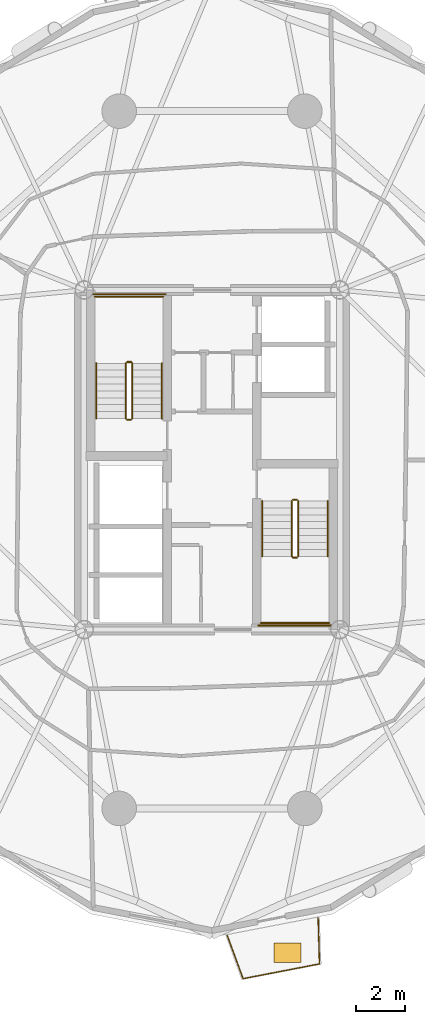
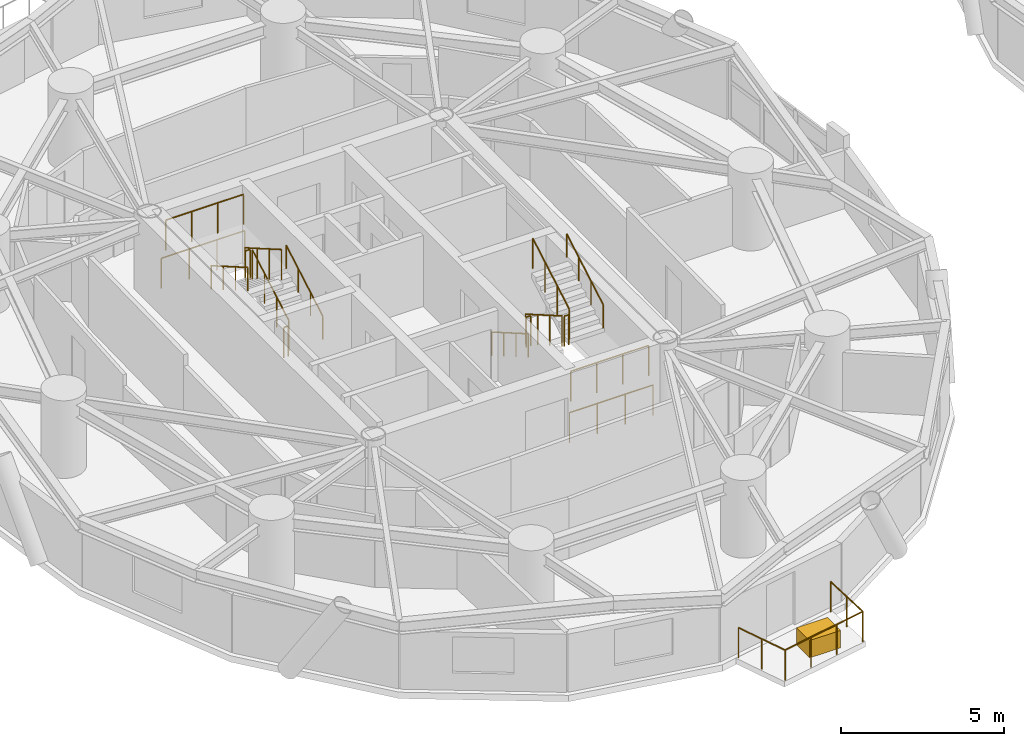
# One storey, part 16 of 18: 17 railings, 1 covering.
"""IFC4 building model written with IfcOpenShell, lengths in metres."""

from ifc_helpers import new_model, si_unit, direction, frame, origin, origin_2d, place, context, subcontext, project, spatial, rectangle, circle, extrude, source, transform, mapped, material, layer, layer_set, type_object, element, save


model = new_model("IFC4")

# Units and contexts
model_context = context("Model", 3, precision=1e-05, world=origin(), true_north=direction((0.0, 1.0)))
body_context = subcontext(model_context, "Body", "Model", "MODEL_VIEW")
ifc_project = project(units=[si_unit("LENGTHUNIT", "METRE"), si_unit("AREAUNIT", "SQUARE_METRE"), si_unit("VOLUMEUNIT", "CUBIC_METRE"), si_unit("PLANEANGLEUNIT", "RADIAN"), si_unit("MASSUNIT", "GRAM", prefix="KILO")], contexts=[model_context])

# Site, building, storey
site_placement = place(None, origin())
site = spatial("IfcSite", under=ifc_project, at=site_placement, CompositionType="ELEMENT")
building_placement = place(site_placement, origin())
building = spatial("IfcBuilding", under=site, at=building_placement, Name="Cununo Teusaquillo Station Towers", CompositionType="ELEMENT")
storey_placement = place(building_placement, frame((0.0, 0.0, 87.610107421875)))
storey = spatial("IfcBuildingStorey", under=building, at=storey_placement, Name="L27", CompositionType="ELEMENT", Elevation=87.610107421875)

# Railings
ifc_material_1 = material(Name="Anodised dark bronze aluminium EN AW-6063-T6", Category="aluminium")
railing_type_1 = type_object("IfcRailingType", Name="RL-EXT-GUARD", PredefinedType="GUARDRAIL", material=ifc_material_1)
railing_1_placement = place(storey_placement, frame((20.79833984375, 5.939453125, 0.0)))
element("IfcRailing", 1, at=railing_1_placement, inside=storey, type_object=railing_type_1, Name="L27 Tower A Balcony Guardrail C15", PredefinedType="GUARDRAIL", context=body_context, shape_type="SweptSolid", body=[
    extrude(circle(Radius=0.02392578125, at=origin_2d()), frame((0.0, 0.0, 1.1259765625), z_axis=(0.030662031384, -0.999529809376, 0.0), x_axis=(0.999529809376, 0.030662031384, 0.0)), (0.0, 0.0, 1.0), 1.86328125),
    extrude(circle(Radius=0.02392578125, at=origin_2d()), frame((0.05712890625, -1.8623046875, 1.1259765625), z_axis=(-0.981834317938, -0.189740275429, 0.0), x_axis=(0.189740275429, -0.981834317938, 0.0)), (0.0, 0.0, 1.0), 3.15380859375),
    extrude(circle(Radius=0.02392578125, at=origin_2d()), frame((-3.039306640625, -2.460693359375, 1.1259765625), z_axis=(-0.343962021681, 0.9389835609, 0.0), x_axis=(-0.9389835609, -0.343962021681, 0.0)), (0.0, 0.0, 1.0), 1.86328125),
    extrude(circle(Radius=0.02099609375, at=origin_2d()), origin(), (0.0, 0.0, 1.0), 1.101806640625),
    extrude(circle(Radius=0.02099609375, at=origin_2d()), frame((0.028564453125, -0.93115234375, 0.0)), (0.0, 0.0, 1.0), 1.101806640625),
    extrude(circle(Radius=0.02099609375, at=origin_2d()), frame((0.05712890625, -1.8623046875, 0.0)), (0.0, 0.0, 1.0), 1.101806640625),
    extrude(circle(Radius=0.02099609375, at=origin_2d()), frame((-0.97509765625, -2.061767578125, 0.0)), (0.0, 0.0, 1.0), 1.101806640625),
    extrude(circle(Radius=0.02099609375, at=origin_2d()), frame((-2.007080078125, -2.26123046875, 0.0)), (0.0, 0.0, 1.0), 1.101806640625),
    extrude(circle(Radius=0.02099609375, at=origin_2d()), frame((-3.039306640625, -2.460693359375, 0.0)), (0.0, 0.0, 1.0), 1.101806640625),
    extrude(circle(Radius=0.02099609375, at=origin_2d()), frame((-3.35986328125, -1.5859375, 0.0)), (0.0, 0.0, 1.0), 1.101806640625),
    extrude(circle(Radius=0.02099609375, at=origin_2d()), frame((-3.68017578125, -0.711181640625, 0.0)), (0.0, 0.0, 1.0), 1.101806640625),
])
ifc_material_2 = material(Name="Steel EN 10025-2 S355J2", Category="steel")
railing_type_2 = type_object("IfcRailingType", Name="RL-INT-GUARD", PredefinedType="GUARDRAIL", material=ifc_material_2)
railing_2_placement = place(storey_placement, frame((13.27001953125, 26.169921875, 0.16162109375)))
element("IfcRailing", 2, at=railing_2_placement, inside=storey, type_object=railing_type_2, Name="L27 ST-T1-1 stair guard 1", PredefinedType="GUARDRAIL", context=body_context, shape_type="SweptSolid", body=[
    extrude(circle(Radius=0.02392578125, at=origin_2d()), frame((0.0, 0.0, 1.1259765625), z_axis=(0.0, 0.866033117094, 0.499986639918), x_axis=(-1.0, 0.0, 0.0)), (0.0, 0.0, 1.0), 2.58642578125),
    extrude(circle(Radius=0.02099609375, at=origin_2d()), origin(), (0.0, 0.0, 1.0), 1.101806640625),
    extrude(circle(Radius=0.02099609375, at=origin_2d()), frame((0.0, 0.74658203125, 0.43115234375)), (0.0, 0.0, 1.0), 1.101806640625),
    extrude(circle(Radius=0.02099609375, at=origin_2d()), frame((0.0, 1.493408203125, 0.862060546875)), (0.0, 0.0, 1.0), 1.101806640625),
    extrude(circle(Radius=0.02099609375, at=origin_2d()), frame((0.0, 2.239990234375, 1.293212890625)), (0.0, 0.0, 1.0), 1.101806640625),
])
railing_3_placement = place(storey_placement, frame((13.219970703125, 28.4599609375, 1.454833984375)))
element("IfcRailing", 3, at=railing_3_placement, inside=storey, type_object=railing_type_2, Name="L27 ST-T1-1 stair guard 2", PredefinedType="GUARDRAIL", context=body_context, shape_type="SweptSolid", body=[
    extrude(circle(Radius=0.02392578125, at=origin_2d()), frame((0.0, 0.0, 1.1259765625), z_axis=(-1.0, 0.0, 0.0), x_axis=(0.0, -1.0, 0.0)), (0.0, 0.0, 1.0), 0.159912109375),
    extrude(circle(Radius=0.02099609375, at=origin_2d()), origin(), (0.0, 0.0, 1.0), 1.101806640625),
    extrude(circle(Radius=0.02099609375, at=origin_2d()), frame((-0.159912109375, 0.0, 0.0)), (0.0, 0.0, 1.0), 1.101806640625),
])
railing_4_placement = place(storey_placement, frame((14.52001953125, 31.110107421875, 1.454833984375)))
element("IfcRailing", 4, at=railing_4_placement, inside=storey, type_object=railing_type_2, Name="L27 ST-T1-1 stair guard 3", PredefinedType="GUARDRAIL", context=body_context, shape_type="SweptSolid", body=[
    extrude(circle(Radius=0.02392578125, at=origin_2d()), frame((0.0, 0.0, 1.1259765625), z_axis=(-1.0, 0.0, 0.0), x_axis=(0.0, -1.0, 0.0)), (0.0, 0.0, 1.0), 2.760009765625),
    extrude(circle(Radius=0.02099609375, at=origin_2d()), origin(), (0.0, 0.0, 1.0), 1.101806640625),
    extrude(circle(Radius=0.02099609375, at=origin_2d()), frame((-0.919921875, 0.0, 0.0)), (0.0, 0.0, 1.0), 1.101806640625),
    extrude(circle(Radius=0.02099609375, at=origin_2d()), frame((-1.840087890625, 0.0, 0.0)), (0.0, 0.0, 1.0), 1.101806640625),
    extrude(circle(Radius=0.02099609375, at=origin_2d()), frame((-2.760009765625, 0.0, 0.0)), (0.0, 0.0, 1.0), 1.101806640625),
])
railing_5_placement = place(storey_placement, frame((13.010009765625, 28.409912109375, 1.616455078125)))
element("IfcRailing", 5, at=railing_5_placement, inside=storey, type_object=railing_type_2, Name="L27 ST-T1-1 stair guard 4", PredefinedType="GUARDRAIL", context=body_context, shape_type="SweptSolid", body=[
    extrude(circle(Radius=0.02392578125, at=origin_2d()), frame((0.0, 0.0, 1.1259765625), z_axis=(0.0, -0.865992244559, 0.500057429065), x_axis=(1.0, 0.0, 0.0)), (0.0, 0.0, 1.0), 2.586669921875),
    extrude(circle(Radius=0.02099609375, at=origin_2d()), origin(), (0.0, 0.0, 1.0), 1.101806640625),
    extrude(circle(Radius=0.02099609375, at=origin_2d()), frame((0.0, -0.74658203125, 0.43115234375)), (0.0, 0.0, 1.0), 1.101806640625),
    extrude(circle(Radius=0.02099609375, at=origin_2d()), frame((0.0, -1.493408203125, 0.8623046875)), (0.0, 0.0, 1.0), 1.101806640625),
    extrude(circle(Radius=0.02099609375, at=origin_2d()), frame((0.0, -2.239990234375, 1.29345703125)), (0.0, 0.0, 1.0), 1.101806640625),
])
railing_6_placement = place(storey_placement, frame((13.219970703125, 26.1201171875, 0.0)))
element("IfcRailing", 6, at=railing_6_placement, inside=storey, type_object=railing_type_2, Name="L27 ST-T1-1 stair guard 5", PredefinedType="GUARDRAIL", context=body_context, shape_type="SweptSolid", body=[
    extrude(circle(Radius=0.02392578125, at=origin_2d()), frame((0.0, 0.0, 1.1259765625), z_axis=(-1.0, 0.0, 0.0), x_axis=(0.0, -1.0, 0.0)), (0.0, 0.0, 1.0), 0.159912109375),
    extrude(circle(Radius=0.02099609375, at=origin_2d()), origin(), (0.0, 0.0, 1.0), 1.101806640625),
    extrude(circle(Radius=0.02099609375, at=origin_2d()), frame((-0.159912109375, 0.0, 0.0)), (0.0, 0.0, 1.0), 1.101806640625),
])
railing_7_placement = place(storey_placement, frame((14.6201171875, 31.2099609375, 0.0)))
element("IfcRailing", 7, at=railing_7_placement, inside=storey, type_object=railing_type_2, Name="L27 ST-T1-1 stair guard 6", PredefinedType="GUARDRAIL", context=body_context, shape_type="SweptSolid", body=[
    extrude(circle(Radius=0.02392578125, at=origin_2d()), frame((0.0, 0.0, 1.1259765625), z_axis=(-1.0, 0.0, 0.0), x_axis=(0.0, -1.0, 0.0)), (0.0, 0.0, 1.0), 2.960205078125),
    extrude(circle(Radius=0.02099609375, at=origin_2d()), origin(), (0.0, 0.0, 1.0), 1.101806640625),
    extrude(circle(Radius=0.02099609375, at=origin_2d()), frame((-0.98681640625, 0.0, 0.0)), (0.0, 0.0, 1.0), 1.101806640625),
    extrude(circle(Radius=0.02099609375, at=origin_2d()), frame((-1.973388671875, 0.0, 0.0)), (0.0, 0.0, 1.0), 1.101806640625),
    extrude(circle(Radius=0.02099609375, at=origin_2d()), frame((-2.960205078125, 0.0, 0.0)), (0.0, 0.0, 1.0), 1.101806640625),
])
railing_8_placement = place(storey_placement, frame((19.72998046875, 22.830078125, 0.16162109375)))
element("IfcRailing", 8, at=railing_8_placement, inside=storey, type_object=railing_type_2, Name="L27 ST-T1-2 stair guard 1", PredefinedType="GUARDRAIL", context=body_context, shape_type="SweptSolid", body=[
    extrude(circle(Radius=0.02392578125, at=origin_2d()), frame((0.0, 0.0, 1.1259765625), z_axis=(0.0, -0.866033117094, 0.499986639918), x_axis=(1.0, 0.0, 0.0)), (0.0, 0.0, 1.0), 2.58642578125),
    extrude(circle(Radius=0.02099609375, at=origin_2d()), origin(), (0.0, 0.0, 1.0), 1.101806640625),
    extrude(circle(Radius=0.02099609375, at=origin_2d()), frame((0.0, -0.74658203125, 0.43115234375)), (0.0, 0.0, 1.0), 1.101806640625),
    extrude(circle(Radius=0.02099609375, at=origin_2d()), frame((0.0, -1.493408203125, 0.862060546875)), (0.0, 0.0, 1.0), 1.101806640625),
    extrude(circle(Radius=0.02099609375, at=origin_2d()), frame((0.0, -2.239990234375, 1.293212890625)), (0.0, 0.0, 1.0), 1.101806640625),
])
railing_9_placement = place(storey_placement, frame((19.780029296875, 20.5400390625, 1.454833984375)))
element("IfcRailing", 9, at=railing_9_placement, inside=storey, type_object=railing_type_2, Name="L27 ST-T1-2 stair guard 2", PredefinedType="GUARDRAIL", context=body_context, shape_type="SweptSolid", body=[
    extrude(circle(Radius=0.02392578125, at=origin_2d()), frame((0.0, 0.0, 1.1259765625), z_axis=(1.0, 0.0, 0.0), x_axis=(0.0, 1.0, 0.0)), (0.0, 0.0, 1.0), 0.159912109375),
    extrude(circle(Radius=0.02099609375, at=origin_2d()), origin(), (0.0, 0.0, 1.0), 1.101806640625),
    extrude(circle(Radius=0.02099609375, at=origin_2d()), frame((0.159912109375, 0.0, 0.0)), (0.0, 0.0, 1.0), 1.101806640625),
])
railing_10_placement = place(storey_placement, frame((18.47998046875, 17.889892578125, 1.454833984375)))
element("IfcRailing", 10, at=railing_10_placement, inside=storey, type_object=railing_type_2, Name="L27 ST-T1-2 stair guard 3", PredefinedType="GUARDRAIL", context=body_context, shape_type="SweptSolid", body=[
    extrude(circle(Radius=0.02392578125, at=origin_2d()), frame((0.0, 0.0, 1.1259765625), z_axis=(1.0, 0.0, 0.0), x_axis=(0.0, 1.0, 0.0)), (0.0, 0.0, 1.0), 2.760009765625),
    extrude(circle(Radius=0.02099609375, at=origin_2d()), origin(), (0.0, 0.0, 1.0), 1.101806640625),
    extrude(circle(Radius=0.02099609375, at=origin_2d()), frame((0.919921875, 0.0, 0.0)), (0.0, 0.0, 1.0), 1.101806640625),
    extrude(circle(Radius=0.02099609375, at=origin_2d()), frame((1.840087890625, 0.0, 0.0)), (0.0, 0.0, 1.0), 1.101806640625),
    extrude(circle(Radius=0.02099609375, at=origin_2d()), frame((2.760009765625, 0.0, 0.0)), (0.0, 0.0, 1.0), 1.101806640625),
])
railing_11_placement = place(storey_placement, frame((19.989990234375, 20.590087890625, 1.616455078125)))
element("IfcRailing", 11, at=railing_11_placement, inside=storey, type_object=railing_type_2, Name="L27 ST-T1-2 stair guard 4", PredefinedType="GUARDRAIL", context=body_context, shape_type="SweptSolid", body=[
    extrude(circle(Radius=0.02392578125, at=origin_2d()), frame((0.0, 0.0, 1.1259765625), z_axis=(0.0, 0.865992244559, 0.500057429065), x_axis=(-1.0, 0.0, 0.0)), (0.0, 0.0, 1.0), 2.586669921875),
    extrude(circle(Radius=0.02099609375, at=origin_2d()), origin(), (0.0, 0.0, 1.0), 1.101806640625),
    extrude(circle(Radius=0.02099609375, at=origin_2d()), frame((0.0, 0.74658203125, 0.43115234375)), (0.0, 0.0, 1.0), 1.101806640625),
    extrude(circle(Radius=0.02099609375, at=origin_2d()), frame((0.0, 1.493408203125, 0.8623046875)), (0.0, 0.0, 1.0), 1.101806640625),
    extrude(circle(Radius=0.02099609375, at=origin_2d()), frame((0.0, 2.239990234375, 1.29345703125)), (0.0, 0.0, 1.0), 1.101806640625),
])
railing_12_placement = place(storey_placement, frame((19.780029296875, 22.8798828125, 0.0)))
element("IfcRailing", 12, at=railing_12_placement, inside=storey, type_object=railing_type_2, Name="L27 ST-T1-2 stair guard 5", PredefinedType="GUARDRAIL", context=body_context, shape_type="SweptSolid", body=[
    extrude(circle(Radius=0.02392578125, at=origin_2d()), frame((0.0, 0.0, 1.1259765625), z_axis=(1.0, 0.0, 0.0), x_axis=(0.0, 1.0, 0.0)), (0.0, 0.0, 1.0), 0.159912109375),
    extrude(circle(Radius=0.02099609375, at=origin_2d()), origin(), (0.0, 0.0, 1.0), 1.101806640625),
    extrude(circle(Radius=0.02099609375, at=origin_2d()), frame((0.159912109375, 0.0, 0.0)), (0.0, 0.0, 1.0), 1.101806640625),
])
railing_13_placement = place(storey_placement, frame((18.3798828125, 17.7900390625, 0.0)))
element("IfcRailing", 13, at=railing_13_placement, inside=storey, type_object=railing_type_2, Name="L27 ST-T1-2 stair guard 6", PredefinedType="GUARDRAIL", context=body_context, shape_type="SweptSolid", body=[
    extrude(circle(Radius=0.02392578125, at=origin_2d()), frame((0.0, 0.0, 1.1259765625), z_axis=(1.0, 0.0, 0.0), x_axis=(0.0, 1.0, 0.0)), (0.0, 0.0, 1.0), 2.960205078125),
    extrude(circle(Radius=0.02099609375, at=origin_2d()), origin(), (0.0, 0.0, 1.0), 1.101806640625),
    extrude(circle(Radius=0.02099609375, at=origin_2d()), frame((0.98681640625, 0.0, 0.0)), (0.0, 0.0, 1.0), 1.101806640625),
    extrude(circle(Radius=0.02099609375, at=origin_2d()), frame((1.973388671875, 0.0, 0.0)), (0.0, 0.0, 1.0), 1.101806640625),
    extrude(circle(Radius=0.02099609375, at=origin_2d()), frame((2.960205078125, 0.0, 0.0)), (0.0, 0.0, 1.0), 1.101806640625),
])
ifc_material_3 = material(Name="Steel EN 10025-2 S355J2", Category="steel")
railing_type_3 = type_object("IfcRailingType", Name="RL-INT-HRAIL", PredefinedType="HANDRAIL", material=ifc_material_3)
railing_14_placement = place(storey_placement, frame((14.469970703125, 26.169921875, 0.16162109375)))
element("IfcRailing", 14, at=railing_14_placement, inside=storey, type_object=railing_type_3, Name="L27 ST-T1-1 stair handrail 1", PredefinedType="HANDRAIL", context=body_context, shape_type="SweptSolid", body=[
    extrude(circle(Radius=0.02392578125, at=origin_2d()), frame((0.0, 0.0, 0.8759765625), z_axis=(0.0, 0.866033117094, 0.499986639918), x_axis=(-1.0, 0.0, 0.0)), (0.0, 0.0, 1.0), 2.58642578125),
    extrude(circle(Radius=0.02099609375, at=origin_2d()), origin(), (0.0, 0.0, 1.0), 0.851806640625),
    extrude(circle(Radius=0.02099609375, at=origin_2d()), frame((0.0, 0.74658203125, 0.43115234375)), (0.0, 0.0, 1.0), 0.851806640625),
    extrude(circle(Radius=0.02099609375, at=origin_2d()), frame((0.0, 1.493408203125, 0.862060546875)), (0.0, 0.0, 1.0), 0.851806640625),
    extrude(circle(Radius=0.02099609375, at=origin_2d()), frame((0.0, 2.239990234375, 1.293212890625)), (0.0, 0.0, 1.0), 0.851806640625),
])
railing_15_placement = place(storey_placement, frame((11.81005859375, 28.409912109375, 1.616455078125)))
element("IfcRailing", 15, at=railing_15_placement, inside=storey, type_object=railing_type_3, Name="L27 ST-T1-1 stair handrail 2", PredefinedType="HANDRAIL", context=body_context, shape_type="SweptSolid", body=[
    extrude(circle(Radius=0.02392578125, at=origin_2d()), frame((0.0, 0.0, 0.8759765625), z_axis=(0.0, -0.865992244559, 0.500057429065), x_axis=(1.0, 0.0, 0.0)), (0.0, 0.0, 1.0), 2.586669921875),
    extrude(circle(Radius=0.02099609375, at=origin_2d()), origin(), (0.0, 0.0, 1.0), 0.851806640625),
    extrude(circle(Radius=0.02099609375, at=origin_2d()), frame((0.0, -0.74658203125, 0.43115234375)), (0.0, 0.0, 1.0), 0.851806640625),
    extrude(circle(Radius=0.02099609375, at=origin_2d()), frame((0.0, -1.493408203125, 0.8623046875)), (0.0, 0.0, 1.0), 0.851806640625),
    extrude(circle(Radius=0.02099609375, at=origin_2d()), frame((0.0, -2.239990234375, 1.29345703125)), (0.0, 0.0, 1.0), 0.851806640625),
])
railing_16_placement = place(storey_placement, frame((18.530029296875, 22.830078125, 0.16162109375)))
element("IfcRailing", 16, at=railing_16_placement, inside=storey, type_object=railing_type_3, Name="L27 ST-T1-2 stair handrail 1", PredefinedType="HANDRAIL", context=body_context, shape_type="SweptSolid", body=[
    extrude(circle(Radius=0.02392578125, at=origin_2d()), frame((0.0, 0.0, 0.8759765625), z_axis=(0.0, -0.866033117094, 0.499986639918), x_axis=(1.0, 0.0, 0.0)), (0.0, 0.0, 1.0), 2.58642578125),
    extrude(circle(Radius=0.02099609375, at=origin_2d()), origin(), (0.0, 0.0, 1.0), 0.851806640625),
    extrude(circle(Radius=0.02099609375, at=origin_2d()), frame((0.0, -0.74658203125, 0.43115234375)), (0.0, 0.0, 1.0), 0.851806640625),
    extrude(circle(Radius=0.02099609375, at=origin_2d()), frame((0.0, -1.493408203125, 0.862060546875)), (0.0, 0.0, 1.0), 0.851806640625),
    extrude(circle(Radius=0.02099609375, at=origin_2d()), frame((0.0, -2.239990234375, 1.293212890625)), (0.0, 0.0, 1.0), 0.851806640625),
])
railing_17_placement = place(storey_placement, frame((21.18994140625, 20.590087890625, 1.616455078125)))
element("IfcRailing", 17, at=railing_17_placement, inside=storey, type_object=railing_type_3, Name="L27 ST-T1-2 stair handrail 2", PredefinedType="HANDRAIL", context=body_context, shape_type="SweptSolid", body=[
    extrude(circle(Radius=0.02392578125, at=origin_2d()), frame((0.0, 0.0, 0.8759765625), z_axis=(0.0, 0.865992244559, 0.500057429065), x_axis=(-1.0, 0.0, 0.0)), (0.0, 0.0, 1.0), 2.586669921875),
    extrude(circle(Radius=0.02099609375, at=origin_2d()), origin(), (0.0, 0.0, 1.0), 0.851806640625),
    extrude(circle(Radius=0.02099609375, at=origin_2d()), frame((0.0, 0.74658203125, 0.43115234375)), (0.0, 0.0, 1.0), 0.851806640625),
    extrude(circle(Radius=0.02099609375, at=origin_2d()), frame((0.0, 1.493408203125, 0.8623046875)), (0.0, 0.0, 1.0), 0.851806640625),
    extrude(circle(Radius=0.02099609375, at=origin_2d()), frame((0.0, 2.239990234375, 1.29345703125)), (0.0, 0.0, 1.0), 0.851806640625),
])

# Covering
ifc_material_4 = material(Name="Architectural GRC planter shell and engineered root-zone substrate", Category="concrete")
ifc_layer = layer(ifc_material_4, 0.64990234375)
ifc_layer_set = layer_set([ifc_layer], Name="Architectural GRC planter shell and engineered root-zone substrate")
covering_type = type_object("IfcCoveringType", Name="COV-TREE-PLANTER", PredefinedType="CLADDING", material=ifc_layer_set)
shared_shape = source(origin(), body_context, "Body", "SweptSolid", [
    extrude(rectangle(XDim=1.10009765625, YDim=0.800048828125, at=origin_2d()), origin(), (0.0, 0.0, 1.0), 0.64990234375),
])
covering_placement = place(storey_placement, frame((19.5537109375, 4.531494140625, 0.0), z_axis=(0.0, 0.0, 1.0), x_axis=(1.0, 0.0, 0.0)))
element("IfcCovering", 18, at=covering_placement, inside=storey, type_object=covering_type, Name="L27 Tower A Balcony Tree PLANTER C15", PredefinedType="CLADDING", context=body_context, shape_type="MappedRepresentation", body=[
    mapped(shared_shape, transform((0.0, 0.0, 0.0), x_axis=(1.0, 0.0, 0.0), y_axis=(0.0, 1.0, 0.0), z_axis=(0.0, 0.0, 1.0), scale=1.0)),
])

save(model, "model.ifc")
